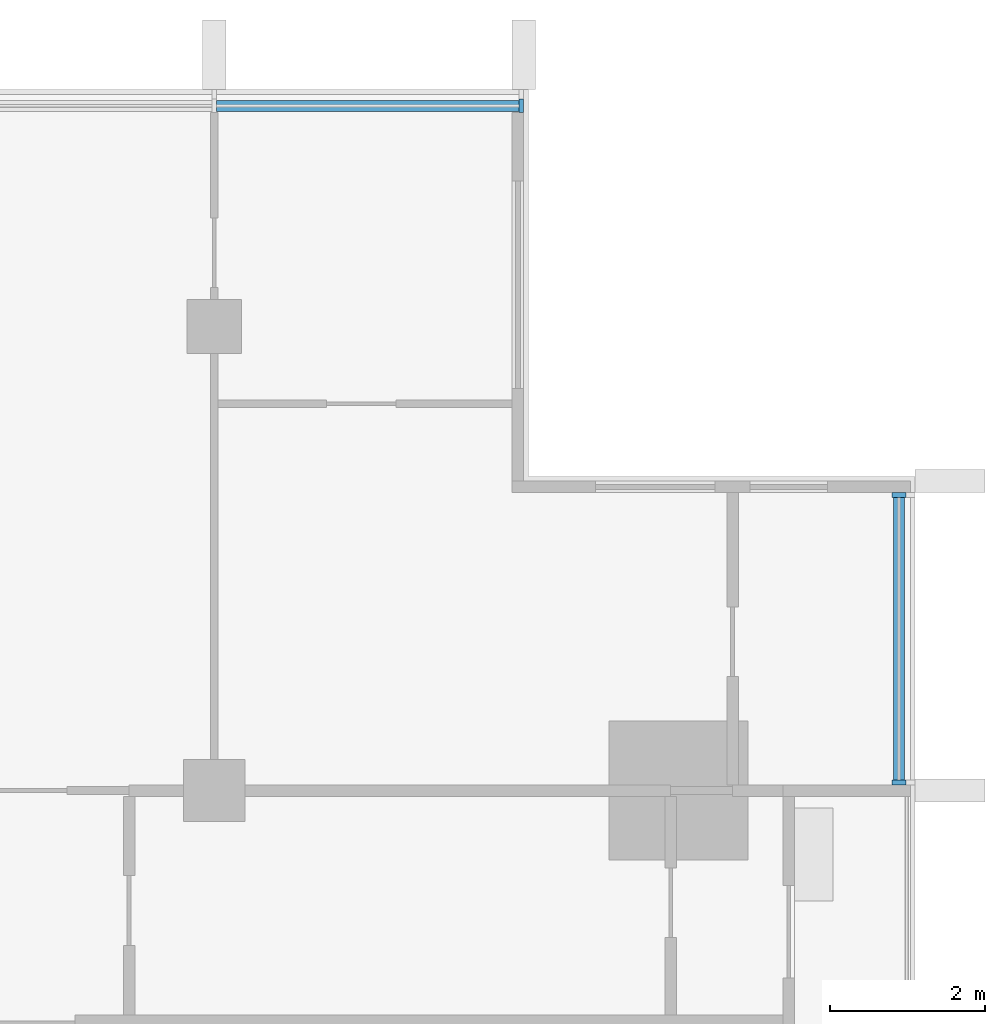
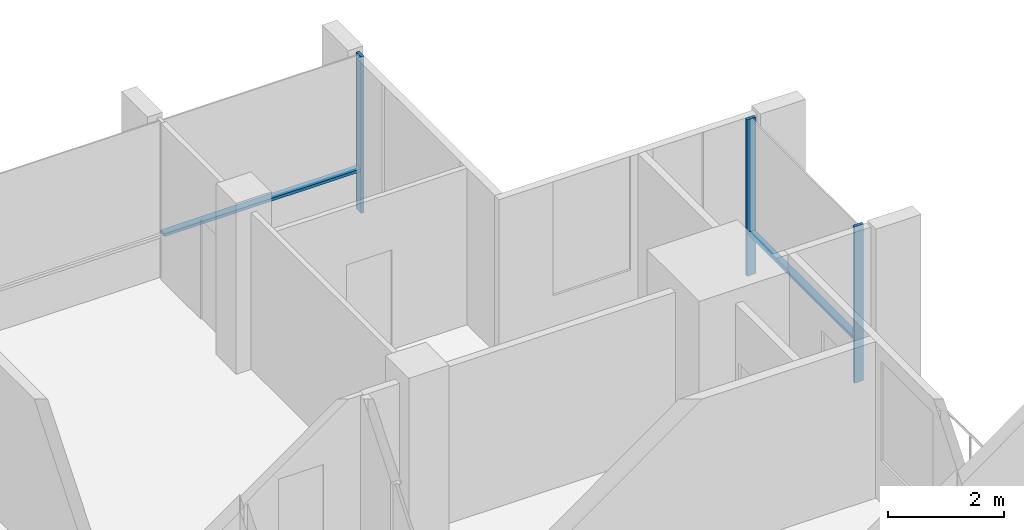
# One storey, part 5 of 16: 5 members, 2 elements without a shape of their own.
"""IFC4 building model written with IfcOpenShell, lengths in metres."""

from ifc_helpers import new_model, si_unit, direction, frame, origin, origin_2d, place, context, subcontext, project, spatial, rectangle, extrude, material, material_profile, profile_set, type_object, element, aggregate, save


model = new_model("IFC4")

# Units and contexts
model_context = context("Model", 3, precision=1e-05, world=origin(), true_north=direction((0.0, 1.0)))
body_context = subcontext(model_context, "Body", "Model", "MODEL_VIEW")
ifc_project = project(units=[si_unit("LENGTHUNIT", "METRE"), si_unit("AREAUNIT", "SQUARE_METRE"), si_unit("VOLUMEUNIT", "CUBIC_METRE"), si_unit("PLANEANGLEUNIT", "RADIAN"), si_unit("MASSUNIT", "GRAM", prefix="KILO")], contexts=[model_context])

# Site, building, storey
site_placement = place(None, origin())
site = spatial("IfcSite", under=ifc_project, at=site_placement, CompositionType="ELEMENT")
building_placement = place(site_placement, origin())
building = spatial("IfcBuilding", under=site, at=building_placement, Name="Finial Court Residences", CompositionType="ELEMENT")
storey_placement = place(building_placement, frame((0.0, 0.0, 280.699951171875)))
storey = spatial("IfcBuildingStorey", under=building, at=storey_placement, Name="L71", CompositionType="ELEMENT", Elevation=280.699951171875)

# Curtain wall, member
ifc_material = material(Name="Bronze anodised aluminium", Category="aluminium")
curtain_wall_type = type_object("IfcCurtainWallType", Name="Unitised curtain wall, upper zones", PredefinedType="NOTDEFINED", material=ifc_material)
curtain_wall_1_placement = place(storey_placement, origin())
curtain_wall_1 = element("IfcCurtainWall", 1, at=curtain_wall_1_placement, inside=storey, type_object=curtain_wall_type, Name="E-L71-CW-N3", PredefinedType="NOTDEFINED")
ifc_material_profile_1 = material_profile(ifc_material, rectangle(XDim=0.175048828125, YDim=0.06005859375, at=origin_2d()), Name="CW2 mullion 60 x 175")
ifc_profile_set_1 = profile_set([ifc_material_profile_1], Name="Bronze anodised aluminium")
member_type_1 = type_object("IfcMemberType", Name="CW2 mullion 60 x 175", PredefinedType="MULLION", material=ifc_profile_set_1)
member_1_placement = place(storey_placement, frame((14.469970703125, 16.35009765625, 0.0), z_axis=(0.0, 0.0, 1.0), x_axis=(0.0, 1.0, 0.0)))
member_1 = element("IfcMember", 2, at=member_1_placement, type_object=member_type_1, Name="CW2 mullion 3", PredefinedType="MULLION", context=body_context, shape_type="SweptSolid", body=[
    extrude(rectangle(XDim=0.175048828125, YDim=0.06005859375, at=origin_2d()), origin(), (0.0, 0.0, 1.0), 3.300048828125),
])

# Curtain wall, members
curtain_wall_2_placement = place(storey_placement, origin())
curtain_wall_2 = element("IfcCurtainWall", 3, at=curtain_wall_2_placement, inside=storey, type_object=curtain_wall_type, Name="E-L71-CW-E6", PredefinedType="NOTDEFINED")
member_2_placement = place(storey_placement, frame((19.35009765625, 7.60498046875, 0.0), z_axis=(0.0, 0.0, 1.0), x_axis=(-1.0, 0.0, 0.0)))
member_2 = element("IfcMember", 4, at=member_2_placement, type_object=member_type_1, Name="CW2 mullion 1", PredefinedType="MULLION", context=body_context, shape_type="SweptSolid", body=[
    extrude(rectangle(XDim=0.175048828125, YDim=0.06005859375, at=origin_2d()), origin(), (0.0, 0.0, 1.0), 3.300048828125),
])
member_3_placement = place(storey_placement, frame((19.35009765625, 11.320068359375, 0.0), z_axis=(0.0, 0.0, 1.0), x_axis=(-1.0, 0.0, 0.0)))
member_3 = element("IfcMember", 5, at=member_3_placement, type_object=member_type_1, Name="CW2 mullion 2", PredefinedType="MULLION", context=body_context, shape_type="SweptSolid", body=[
    extrude(rectangle(XDim=0.175048828125, YDim=0.06005859375, at=origin_2d()), origin(), (0.0, 0.0, 1.0), 3.300048828125),
])

# Member
ifc_material_profile_2 = material_profile(ifc_material, rectangle(XDim=0.139892578125, YDim=0.06005859375, at=origin_2d()), Name="CW2 transom 60 x 140")
ifc_profile_set_2 = profile_set([ifc_material_profile_2], Name="Bronze anodised aluminium")
member_type_2 = type_object("IfcMemberType", Name="CW2 transom 60 x 140", PredefinedType="USERDEFINED", material=ifc_profile_set_2)
member_4_placement = place(storey_placement, frame((10.530029296875, 16.35009765625, 0.900146484375), z_axis=(1.0, 0.0, 0.0), x_axis=(0.0, 1.0, 0.0)))
member_4 = element("IfcMember", 6, at=member_4_placement, type_object=member_type_2, Name="CW2 transom 2.1", ObjectType="TRANSOM", PredefinedType="USERDEFINED", context=body_context, shape_type="SweptSolid", body=[
    extrude(rectangle(XDim=0.139892578125, YDim=0.06005859375, at=origin_2d()), origin(), (0.0, 0.0, 1.0), 3.909912109375),
])

aggregate(curtain_wall_1, [member_1, member_4])

member_5_placement = place(storey_placement, frame((19.35009765625, 7.635009765625, 0.900146484375), z_axis=(0.0, 1.0, 0.0), x_axis=(-1.0, 0.0, 0.0)))
member_5 = element("IfcMember", 7, at=member_5_placement, type_object=member_type_2, Name="CW2 transom 1.1", ObjectType="TRANSOM", PredefinedType="USERDEFINED", context=body_context, shape_type="SweptSolid", body=[
    extrude(rectangle(XDim=0.139892578125, YDim=0.06005859375, at=origin_2d()), origin(), (0.0, 0.0, 1.0), 3.655029296875),
])

aggregate(curtain_wall_2, [member_2, member_3, member_5])

save(model, "model.ifc")
